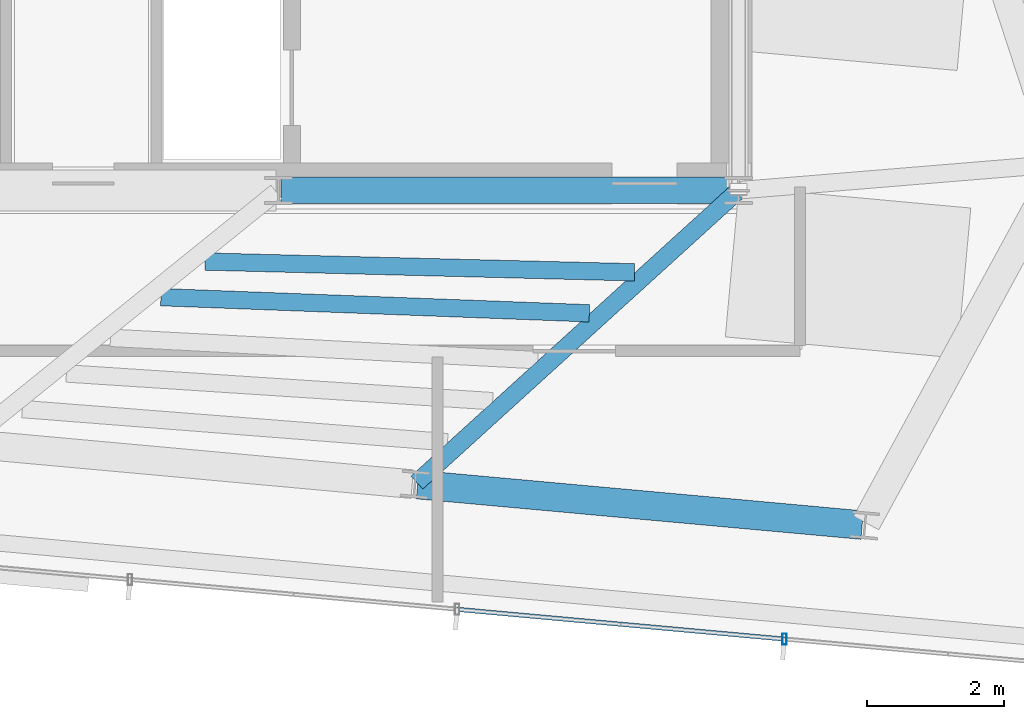
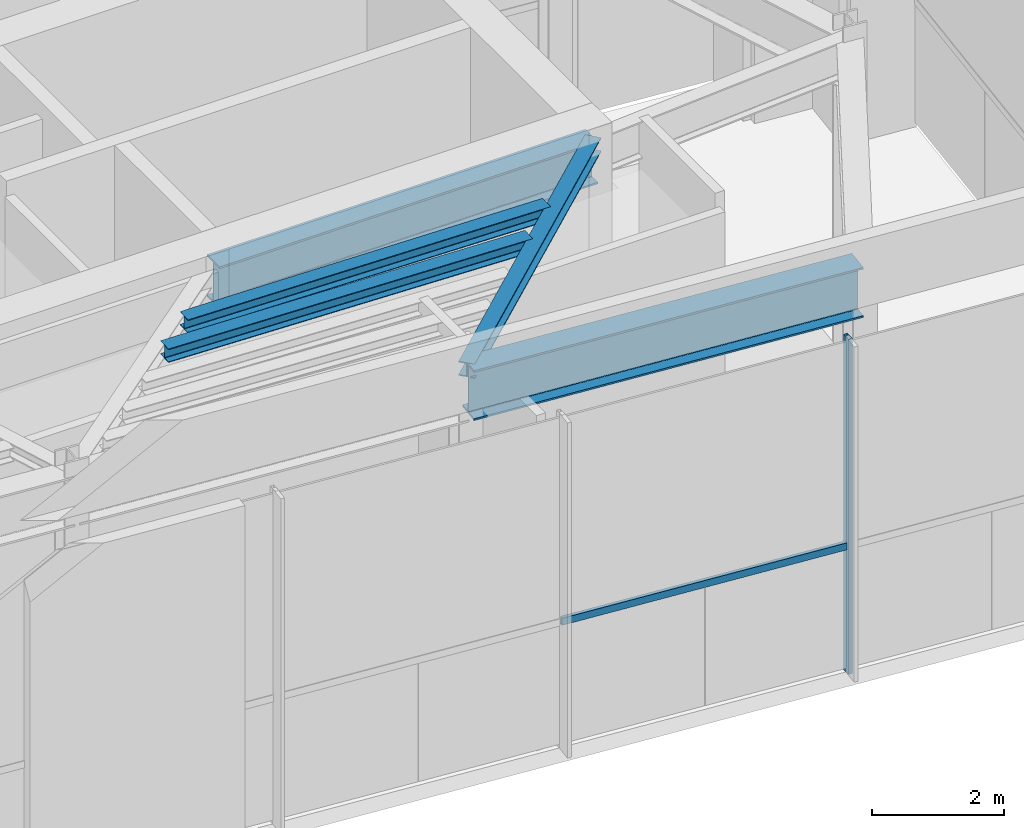
# One storey, part 7 of 18: 5 beams, 2 members, 1 element without a shape of its own.
"""IFC4 building model written with IfcOpenShell, lengths in metres."""

import ifcopenshell
import ifcopenshell.guid

model = None  # the IFC model being written
_history = None  # IfcOwnerHistory: only IFC2X3 demands one
_inside = {}  # id of a spatial element -> (the spatial element, [elements in it])
_under = {}  # id of a project, library or spatial element -> (it, [spatial elements below it])
_declared = {}  # id of a project -> (the project, [libraries it declares])
_typed = {}  # id of a type object -> (the type object, [elements of that type])
_made_of = {}  # id of a material, layer set ... -> (it, [elements and type objects made of it])


def new_model(schema):
    """Start an empty IFC model of exactly this schema.

    Asked for "IFC4X3", IfcOpenShell would pick the latest addendum, in which some entities
    have other attributes; the version numbers below select the first issue.
    IFC2X3 requires an IfcOwnerHistory on every rooted entity: one is made here for all.
    """
    global model, _history
    if schema == "IFC4X3":
        model = ifcopenshell.file(schema_version=(4, 3, 0, 0))
    else:
        model = ifcopenshell.file(schema=schema)
    _inside.clear()
    _under.clear()
    _declared.clear()
    _typed.clear()
    _made_of.clear()
    _history = None
    if model.schema == "IFC2X3":
        org = make("IfcOrganization", Name="unknown")
        user = make(
            "IfcPersonAndOrganization",
            ThePerson=make("IfcPerson", FamilyName="unknown"),
            TheOrganization=org,
        )
        app = make(
            "IfcApplication",
            ApplicationDeveloper=org,
            Version="unknown",
            ApplicationFullName="unknown",
            ApplicationIdentifier="unknown",
        )
        _history = make(
            "IfcOwnerHistory",
            OwningUser=user,
            OwningApplication=app,
            ChangeAction="ADDED",
            CreationDate=0,
        )
    return model


def make(cls, **values):
    """One entity of the class cls with the attributes given. An attribute that is None is left unset."""
    return model.create_entity(
        cls, **{name: value for name, value in values.items() if value is not None}
    )


def rooted(cls, **values):
    """An entity with a GlobalId (a new one), such as an element, a storey or a relation."""
    return make(cls, GlobalId=ifcopenshell.guid.new(), OwnerHistory=_history, **values)


def si_unit(unit_type, name, prefix=None):
    """IfcSIUnit, for example si_unit("LENGTHUNIT", "METRE", prefix="MILLI")."""
    return make("IfcSIUnit", UnitType=unit_type, Prefix=prefix, Name=name)


def assignment(units):
    """IfcUnitAssignment: the units of a project."""
    return None if units is None else make("IfcUnitAssignment", Units=units)


def point(xyz):
    """IfcCartesianPoint."""
    return None if xyz is None else make("IfcCartesianPoint", Coordinates=xyz)


def direction(xyz):
    """IfcDirection."""
    return None if xyz is None else make("IfcDirection", DirectionRatios=xyz)


def frame(location, z_axis=None, x_axis=None):
    """IfcAxis2Placement3D, a coordinate frame: its origin and axes. An axis left out is left unset."""
    return make(
        "IfcAxis2Placement3D",
        Location=point(location),
        Axis=direction(z_axis),
        RefDirection=direction(x_axis),
    )


def frame_2d(location, x_axis=None):
    """IfcAxis2Placement2D, a coordinate frame in the plane: its origin and x axis."""
    return make(
        "IfcAxis2Placement2D", Location=point(location), RefDirection=direction(x_axis)
    )


def origin():
    """The frame at (0, 0, 0) with its axes left unset."""
    return frame((0.0, 0.0, 0.0))


def origin_2d():
    """The frame at (0, 0) in the plane with its x axis left unset."""
    return frame_2d((0.0, 0.0))


def place(relative_to, where):
    """IfcLocalPlacement: puts the frame where relative to a parent placement (None: the world)."""
    return make(
        "IfcLocalPlacement", PlacementRelTo=relative_to, RelativePlacement=where
    )


def context(
    kind, dimensions, precision=None, world=None, true_north=None, identifier=None
):
    """IfcGeometricRepresentationContext, for example the 3D "Model" context."""
    return make(
        "IfcGeometricRepresentationContext",
        ContextIdentifier=identifier,
        ContextType=kind,
        CoordinateSpaceDimension=dimensions,
        Precision=precision,
        WorldCoordinateSystem=world,
        TrueNorth=true_north,
    )


def subcontext(parent, identifier, kind, view, scale=None):
    """IfcGeometricRepresentationSubContext, for example "Body" below "Model"."""
    return make(
        "IfcGeometricRepresentationSubContext",
        ContextIdentifier=identifier,
        ContextType=kind,
        ParentContext=parent,
        TargetScale=scale,
        TargetView=view,
    )


def project(units=None, contexts=None):
    """IfcProject with its units and contexts."""
    return rooted(
        "IfcProject",
        Name="project",
        RepresentationContexts=contexts,
        UnitsInContext=assignment(units),
    )


def spatial(cls, under=None, at=None, **own):
    """A site, building, storey or space (cls), placed at a placement, below another one or the project."""
    s = rooted(cls, ObjectPlacement=at, **own)
    if under is not None:
        _under.setdefault(under.id(), (under, []))[1].append(s)
    return s


def profile(cls, at=None, kind="AREA", **sizes):
    """A parametric profile (cls). Its sizes go by their IFC names, for example OverallWidth=200.0."""
    return make(cls, ProfileType=kind, Position=at, **sizes)


def hollow_rectangle(**sizes):
    """IfcRectangleHollowProfileDef."""
    return profile("IfcRectangleHollowProfileDef", **sizes)


def i_section(**sizes):
    """IfcIShapeProfileDef."""
    return profile("IfcIShapeProfileDef", **sizes)


def extrude(swept, where, along, depth):
    """IfcExtrudedAreaSolid: the profile swept, set in the frame where, extruded along a direction by depth."""
    return make(
        "IfcExtrudedAreaSolid",
        SweptArea=swept,
        Position=where,
        ExtrudedDirection=direction(along),
        Depth=depth,
    )


def shape(context_of_items, identifier, shape_type, items):
    """IfcShapeRepresentation: the items that make up one representation, for example the "Body"."""
    return make(
        "IfcShapeRepresentation",
        ContextOfItems=context_of_items,
        RepresentationIdentifier=identifier,
        RepresentationType=shape_type,
        Items=items,
    )


def source(mapping_origin, context_of_items, identifier, shape_type, items):
    """IfcRepresentationMap: a shape defined once, which mapped items show again and again."""
    return make(
        "IfcRepresentationMap",
        MappingOrigin=mapping_origin,
        MappedRepresentation=shape(context_of_items, identifier, shape_type, items),
    )


def transform(
    local_origin,
    x_axis=None,
    y_axis=None,
    z_axis=None,
    scale=None,
    scale2=None,
    scale3=None,
    uniform=True,
):
    """IfcCartesianTransformationOperator3D, or its non-uniform kind. x_axis, y_axis, z_axis: its Axis1, 2, 3."""
    if uniform:
        return make(
            "IfcCartesianTransformationOperator3D",
            Axis1=direction(x_axis),
            Axis2=direction(y_axis),
            LocalOrigin=point(local_origin),
            Scale=scale,
            Axis3=direction(z_axis),
        )
    return make(
        "IfcCartesianTransformationOperator3DnonUniform",
        Axis1=direction(x_axis),
        Axis2=direction(y_axis),
        LocalOrigin=point(local_origin),
        Scale=scale,
        Axis3=direction(z_axis),
        Scale2=scale2,
        Scale3=scale3,
    )


def mapped(mapping_source, mapping_target):
    """IfcMappedItem: shows the shape of a source again, moved by a transform."""
    return make(
        "IfcMappedItem", MappingSource=mapping_source, MappingTarget=mapping_target
    )


def material(Name=None, Category=None):
    """IfcMaterial."""
    return make("IfcMaterial", Name=Name, Category=Category)


def material_profile(
    of_material, cross_section, Name=None, Category=None, Priority=None
):
    """IfcMaterialProfile: a cross section and its material."""
    return make(
        "IfcMaterialProfile",
        Name=Name,
        Material=of_material,
        Profile=cross_section,
        Priority=Priority,
        Category=Category,
    )


def profile_set(profiles, Name=None, composite=None):
    """IfcMaterialProfileSet."""
    return make(
        "IfcMaterialProfileSet",
        Name=Name,
        MaterialProfiles=profiles,
        CompositeProfile=composite,
    )


def made_of(thing, what):
    """Note that an element or type object is made of a material, layer set ...; save() writes the relation."""
    if what is not None:
        _made_of.setdefault(what.id(), (what, []))[1].append(thing)
    return thing


def type_object(cls, material=None, **own):
    """A type object (cls), such as IfcWallType, which elements share."""
    return made_of(rooted(cls, **own), material)


def type_shapes(of_type, sources):
    """Give a type object the sources (RepresentationMaps) that its elements show as mapped items."""
    of_type.RepresentationMaps = sources


def element(
    cls,
    number,
    at=None,
    inside=None,
    cuts=None,
    type_object=None,
    material=None,
    context=None,
    identifier="Body",
    shape_type=None,
    held_by="IfcProductDefinitionShape",
    body=None,
    shapes=None,
    **own,
):
    """One element of the class cls, such as IfcWall. Its Tag is "e" and its number.

    at: its placement. inside: the storey or other place that contains it. cuts: it is an
    opening in that element (IfcRelVoidsElement). A single representation is given by context,
    identifier, shape_type and body (its items); several are given by shapes. held_by: the class
    of the entity that holds the representations. save() writes the other relations.
    """
    e = rooted(cls, Tag="e%d" % number, ObjectPlacement=at, **own)
    if body is not None:
        shapes = [shape(context, identifier, shape_type, body)]
    if shapes is not None:
        e.Representation = make(held_by, Representations=shapes)
    if inside is not None:
        _inside.setdefault(inside.id(), (inside, []))[1].append(e)
    if cuts is not None:
        rooted(
            "IfcRelVoidsElement", RelatingBuildingElement=cuts, RelatedOpeningElement=e
        )
    if type_object is not None:
        _typed.setdefault(type_object.id(), (type_object, []))[1].append(e)
    return made_of(e, material)


def aggregate(whole, parts):
    """IfcRelAggregates: a whole, such as a stair, and the parts it consists of."""
    return rooted("IfcRelAggregates", RelatingObject=whole, RelatedObjects=parts)


def save(model, path):
    """Write the relations noted so far, then the file.

    IfcRelAggregates (storeys below a building ...), IfcRelContainedInSpatialStructure (elements
    in a storey), IfcRelDefinesByType, IfcRelAssociatesMaterial and IfcRelDeclares: one each for
    every whole, place, type object, material and project.
    """
    for whole, parts in _under.values():
        aggregate(whole, parts)
    for where, things in _inside.values():
        rooted(
            "IfcRelContainedInSpatialStructure",
            RelatedElements=things,
            RelatingStructure=where,
        )
    for kind, things in _typed.values():
        rooted("IfcRelDefinesByType", RelatedObjects=things, RelatingType=kind)
    for what, things in _made_of.values():
        rooted("IfcRelAssociatesMaterial", RelatedObjects=things, RelatingMaterial=what)
    for by, libraries in _declared.values():
        rooted("IfcRelDeclares", RelatingContext=by, RelatedDefinitions=libraries)
    model.write(path)


model = new_model("IFC4")

# Units and contexts
model_context = context("Model", 3, precision=1e-05, world=origin(), true_north=direction((0.0, 1.0)))
body_context = subcontext(model_context, "Body", "Model", "MODEL_VIEW")
ifc_project = project(units=[si_unit("LENGTHUNIT", "METRE"), si_unit("AREAUNIT", "SQUARE_METRE"), si_unit("VOLUMEUNIT", "CUBIC_METRE"), si_unit("PLANEANGLEUNIT", "RADIAN"), si_unit("MASSUNIT", "GRAM", prefix="KILO")], contexts=[model_context])

# Site, building, storey
site_placement = place(None, origin())
site = spatial("IfcSite", under=ifc_project, at=site_placement, CompositionType="ELEMENT")
building_placement = place(site_placement, origin())
building = spatial("IfcBuilding", under=site, at=building_placement, Name="Astriad Promenade Condominiums", CompositionType="ELEMENT")
storey_placement = place(building_placement, frame((0.0, 0.0, 290.300048828125)))
storey = spatial("IfcBuildingStorey", under=building, at=storey_placement, Name="L80", CompositionType="ELEMENT", Elevation=290.300048828125)

# Beams
ifc_material_1 = material(Name="Steel ASTM A992 Grade 50", Category="steel")
ifc_material_profile_1 = material_profile(ifc_material_1, i_section(OverallWidth=0.3837890625, OverallDepth=0.785888671875, WebThickness=0.019775390625, FlangeThickness=0.033447265625, FilletRadius=0.021484375, at=origin_2d()), Name="W30X211")
ifc_profile_set_1 = profile_set([ifc_material_profile_1], Name="Steel ASTM A992 Grade 50")
beam_type_1 = type_object("IfcBeamType", Name="STEEL FLOOR GIRDER W30X211", PredefinedType="BEAM", material=ifc_profile_set_1)
shared_shape_1 = source(origin(), body_context, "Body", "SweptSolid", [
    extrude(i_section(OverallWidth=0.3837890625, OverallDepth=0.785888671875, WebThickness=0.019775390625, FlangeThickness=0.033447265625, FilletRadius=0.021484375, at=origin_2d()), origin(), (0.0, 0.0, 1.0), 6.64013671875),
])
type_shapes(beam_type_1, [shared_shape_1])
beam_1_placement = place(storey_placement, frame((38.919921875, 17.39990234375, 5.826904296875), z_axis=(1.0, 0.0, 0.0), x_axis=(0.0, 1.0, 0.0)))
element("IfcBeam", 1, at=beam_1_placement, inside=storey, type_object=beam_type_1, Name="Core Ring Beam CG-S3-L80", PredefinedType="BEAM", context=body_context, shape_type="MappedRepresentation", body=[
    mapped(shared_shape_1, transform((0.0, 0.0, 0.0), scale=1.0)),
])
ifc_material_profile_2 = material_profile(ifc_material_1, i_section(OverallWidth=0.25732421875, OverallDepth=0.26416015625, WebThickness=0.011962890625, FlangeThickness=0.01953125, FilletRadius=0.0126953125, at=origin_2d()), Name="W10X68")
ifc_profile_set_2 = profile_set([ifc_material_profile_2], Name="Steel ASTM A992 Grade 50")
beam_type_2 = type_object("IfcBeamType", Name="STEEL CANOPY BEAM W10X68", PredefinedType="BEAM", material=ifc_profile_set_2)
shared_shape_2 = source(origin(), body_context, "Body", "SweptSolid", [
    extrude(i_section(OverallWidth=0.25732421875, OverallDepth=0.26416015625, WebThickness=0.011962890625, FlangeThickness=0.01953125, FilletRadius=0.0126953125, at=origin_2d()), origin(), (0.0, 0.0, 1.0), 6.307373046875),
])
type_shapes(beam_type_2, [shared_shape_2])
beam_2_placement = place(storey_placement, frame((40.902099609375, 13.13134765625, 6.087890625), z_axis=(0.740108187387, 0.672487822167, 0.0), x_axis=(-0.672487822167, 0.740108187387, 0.0)))
element("IfcBeam", 2, at=beam_2_placement, inside=storey, type_object=beam_type_2, Name="Primary Floor Girder PG-E2-L80", PredefinedType="BEAM", context=body_context, shape_type="MappedRepresentation", body=[
    mapped(shared_shape_2, transform((0.0, 0.0, 0.0), scale=1.0)),
])
ifc_material_profile_3 = material_profile(ifc_material_1, i_section(OverallWidth=0.418212890625, OverallDepth=0.926513671875, WebThickness=0.019287109375, FlangeThickness=0.031982421875, FilletRadius=0.024169921875, at=origin_2d()), Name="W36X231")
ifc_profile_set_3 = profile_set([ifc_material_profile_3], Name="Steel ASTM A992 Grade 50")
beam_type_3 = type_object("IfcBeamType", Name="STEEL CROWN RING BEAM W36X231", PredefinedType="BEAM", material=ifc_profile_set_3)
shared_shape_3 = source(origin(), body_context, "Body", "SweptSolid", [
    extrude(i_section(OverallWidth=0.418212890625, OverallDepth=0.926513671875, WebThickness=0.019287109375, FlangeThickness=0.031982421875, FilletRadius=0.024169921875, at=origin_2d()), origin(), (0.0, 0.0, 1.0), 6.52001953125),
])
type_shapes(beam_type_3, [shared_shape_3])
beam_3_placement = place(storey_placement, frame((40.912353515625, 13.100830078125, 5.756591796875), z_axis=(0.995885836952, -0.090616774155, 0.0), x_axis=(0.090616774155, 0.995885836952, 0.0)))
element("IfcBeam", 3, at=beam_3_placement, inside=storey, type_object=beam_type_3, Name="Perimeter Spandrel Beam SP-S4-L80", PredefinedType="BEAM", context=body_context, shape_type="MappedRepresentation", body=[
    mapped(shared_shape_3, transform((0.0, 0.0, 0.0), scale=1.0)),
])
ifc_material_profile_4 = material_profile(ifc_material_1, i_section(OverallWidth=0.25390625, OverallDepth=0.25390625, WebThickness=0.008544921875, FlangeThickness=0.01416015625, FilletRadius=0.0126953125, at=origin_2d()), Name="W10X49")
ifc_profile_set_4 = profile_set([ifc_material_profile_4], Name="Steel ASTM A992 Grade 50")
beam_type_4 = type_object("IfcBeamType", Name="STEEL TRIMMER JOIST W10X49", PredefinedType="JOIST", material=ifc_profile_set_4)
shared_shape_4 = source(origin(), body_context, "Body", "SweptSolid", [
    extrude(i_section(OverallWidth=0.25390625, OverallDepth=0.25390625, WebThickness=0.008544921875, FlangeThickness=0.01416015625, FilletRadius=0.0126953125, at=origin_2d()), origin(), (0.0, 0.0, 1.0), 6.263427734375),
])
beam_4_placement = place(storey_placement, frame((37.161865234375, 15.83935546875, 6.093017578125), z_axis=(0.999289399614, -0.03769211879, 0.0), x_axis=(0.03769211879, 0.999289399614, 0.0)))
element("IfcBeam", 4, at=beam_4_placement, inside=storey, type_object=beam_type_4, Name="Secondary Composite Floor Joist JCE-4-L80", PredefinedType="JOIST", context=body_context, shape_type="MappedRepresentation", body=[
    mapped(shared_shape_4, transform((0.0, 0.0, 0.0), scale=1.0)),
])
shared_shape_5 = source(origin(), body_context, "Body", "SweptSolid", [
    extrude(i_section(OverallWidth=0.25390625, OverallDepth=0.25390625, WebThickness=0.008544921875, FlangeThickness=0.01416015625, FilletRadius=0.0126953125, at=origin_2d()), origin(), (0.0, 0.0, 1.0), 6.27587890625),
])
type_shapes(beam_type_4, [shared_shape_4, shared_shape_5])
beam_5_placement = place(storey_placement, frame((37.80615234375, 16.359619140625, 6.093017578125), z_axis=(0.999685163085, -0.025091327348, 0.0), x_axis=(0.025091327348, 0.999685163085, 0.0)))
element("IfcBeam", 5, at=beam_5_placement, inside=storey, type_object=beam_type_4, Name="Secondary Composite Floor Joist JCE-5-L80", PredefinedType="JOIST", context=body_context, shape_type="MappedRepresentation", body=[
    mapped(shared_shape_5, transform((0.0, 0.0, 0.0), scale=1.0)),
])

# Curtain wall, members
ifc_material_2 = material(Name="Anodised aluminium Black Dark Glass Unitised", Category="aluminium")
curtain_wall_type = type_object("IfcCurtainWallType", Name="CW-TMD-LANTERN", PredefinedType="USERDEFINED", material=ifc_material_2)
curtain_wall_placement = place(storey_placement, origin())
curtain_wall = element("IfcCurtainWall", 6, at=curtain_wall_placement, inside=storey, type_object=curtain_wall_type, Name="CW-CRN-L80-18", ObjectType="UNITISED_CURTAIN_WALL", PredefinedType="USERDEFINED")
ifc_material_3 = material(Name="Anodised aluminium 6063-T6 Black", Category="aluminium")
ifc_material_profile_5 = material_profile(ifc_material_3, hollow_rectangle(XDim=0.06494140625, YDim=0.159912109375, WallThickness=0.00390625, at=origin_2d()), Name="ALU-MUL-65X160")
ifc_profile_set_5 = profile_set([ifc_material_profile_5], Name="Anodised aluminium 6063-T6 Black")
member_type_1 = type_object("IfcMemberType", Name="MUL-ALU-MUL-65X160", PredefinedType="MULLION", material=ifc_profile_set_5)
shared_shape_6 = source(origin(), body_context, "Body", "SweptSolid", [
    extrude(hollow_rectangle(XDim=0.06494140625, YDim=0.159912109375, WallThickness=0.00390625, at=origin_2d()), origin(), (0.0, 0.0, 1.0), 6.219970703125),
])
type_shapes(member_type_1, [shared_shape_6])
member_1_placement = place(storey_placement, frame((46.27099609375, 10.84326171875, 0.0), z_axis=(0.0, 0.0, 1.0), x_axis=(1.0, 0.0, 0.0)))
member_1 = element("IfcMember", 7, at=member_1_placement, type_object=member_type_1, Name="CW-CRN-L80-18-MUL-01", PredefinedType="MULLION", context=body_context, shape_type="MappedRepresentation", body=[
    mapped(shared_shape_6, transform((0.0, 0.0, 0.0), scale=1.0)),
])
ifc_material_profile_6 = material_profile(ifc_material_3, hollow_rectangle(XDim=0.06494140625, YDim=0.1298828125, WallThickness=0.00390625, at=origin_2d()), Name="ALU-TRN-65X130")
ifc_profile_set_6 = profile_set([ifc_material_profile_6], Name="Anodised aluminium 6063-T6 Black")
member_type_2 = type_object("IfcMemberType", Name="TRN-ALU-TRN-65X130", PredefinedType="USERDEFINED", material=ifc_profile_set_6)
shared_shape_7 = source(origin(), body_context, "Body", "SweptSolid", [
    extrude(hollow_rectangle(XDim=0.06494140625, YDim=0.1298828125, WallThickness=0.00390625, at=origin_2d()), origin(), (0.0, 0.0, 1.0), 4.80029296875),
])
type_shapes(member_type_2, [shared_shape_7])
member_2_placement = place(storey_placement, frame((46.27099609375, 10.84326171875, 2.349853515625), z_axis=(-0.995884447267, 0.090632045607, 0.0), x_axis=(-0.090632045607, -0.995884447267, 0.0)))
member_2 = element("IfcMember", 8, at=member_2_placement, type_object=member_type_2, Name="CW-CRN-L80-18-TRN-01-0", ObjectType="TRANSOM", PredefinedType="USERDEFINED", context=body_context, shape_type="MappedRepresentation", body=[
    mapped(shared_shape_7, transform((0.0, 0.0, 0.0), scale=1.0)),
])
aggregate(curtain_wall, [member_1, member_2])

save(model, "model.ifc")
